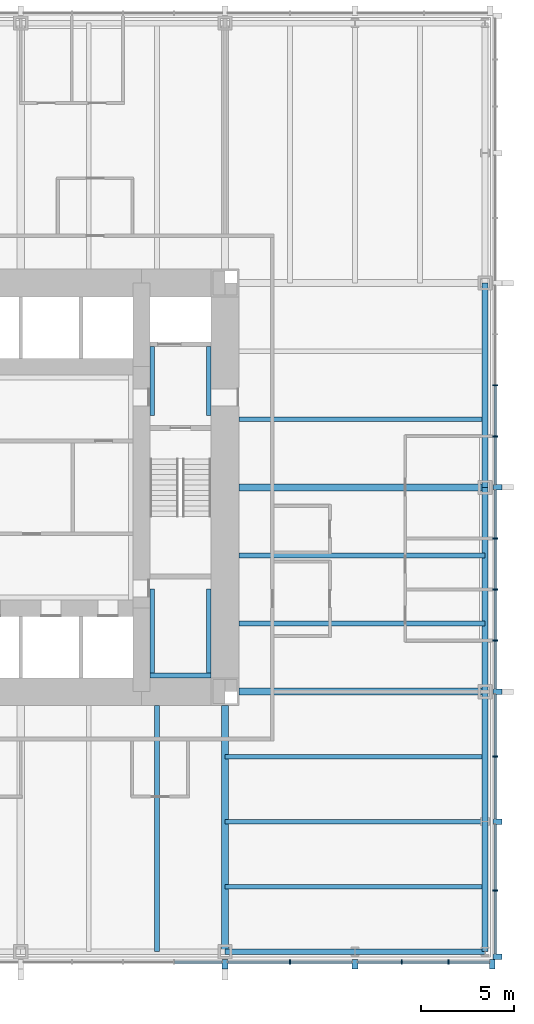
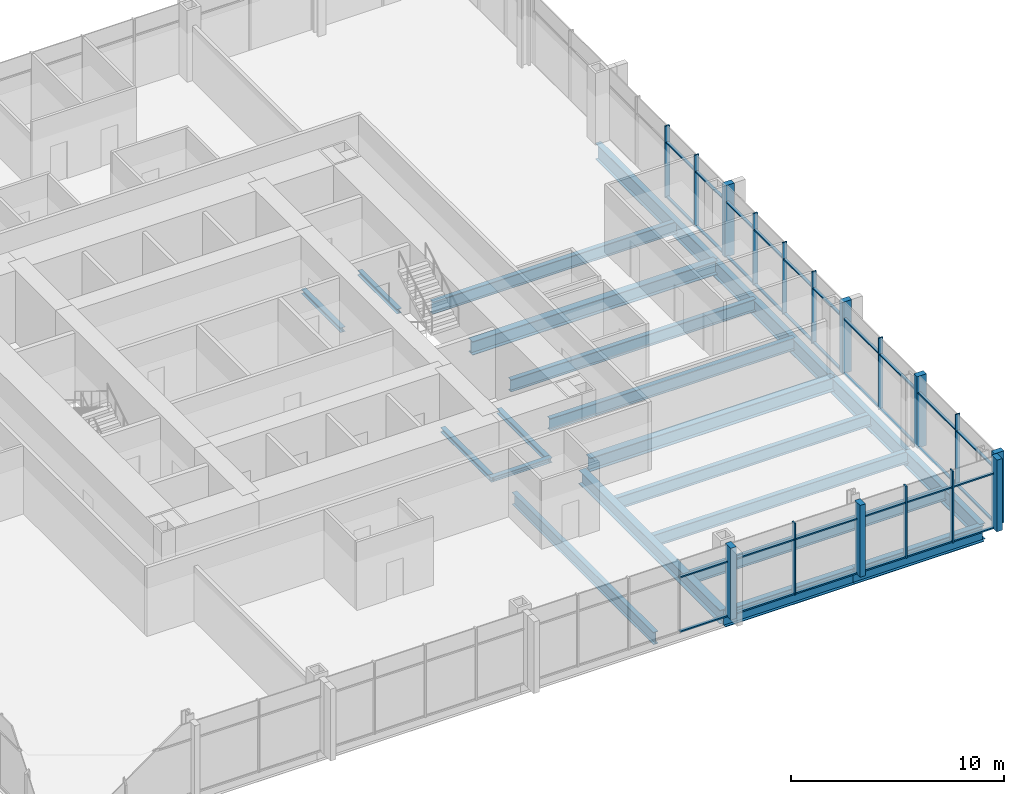
# One storey, part 4 of 12: 49 members, 21 beams, 2 elements without a shape of their own.
"""IFC4 building model written with IfcOpenShell, lengths in metres."""

from ifc_helpers import new_model, si_unit, direction, frame, origin, origin_2d, place, context, subcontext, project, spatial, rectangle, i_section, extrude, material, material_profile, profile_set, type_object, element, aggregate, save


model = new_model("IFC4")

# Units and contexts
model_context = context("Model", 3, precision=1e-05, world=origin(), true_north=direction((0.0, 1.0)))
body_context = subcontext(model_context, "Body", "Model", "MODEL_VIEW")
ifc_project = project(units=[si_unit("LENGTHUNIT", "METRE"), si_unit("AREAUNIT", "SQUARE_METRE"), si_unit("VOLUMEUNIT", "CUBIC_METRE"), si_unit("PLANEANGLEUNIT", "RADIAN"), si_unit("MASSUNIT", "GRAM", prefix="KILO")], contexts=[model_context])

# Site, building, storey
site_placement = place(None, origin())
site = spatial("IfcSite", under=ifc_project, at=site_placement, CompositionType="ELEMENT")
building_placement = place(site_placement, origin())
building = spatial("IfcBuilding", under=site, at=building_placement, Name="Trevanion Tower", CompositionType="ELEMENT")
storey_placement = place(building_placement, frame((0.0, 0.0, 28.300048828125)))
storey = spatial("IfcBuildingStorey", under=building, at=storey_placement, Name="L06", CompositionType="ELEMENT", Elevation=28.300048828125)

# Beams
ifc_material_1 = material(Name="Steel ASTM A992 Grade 50", Category="steel")
ifc_material_profile_1 = material_profile(ifc_material_1, i_section(OverallWidth=0.25390625, OverallDepth=0.700927734375, WebThickness=0.015380859375, FlangeThickness=0.02783203125, at=origin_2d()), Name="W27X129")
ifc_profile_set_1 = profile_set([ifc_material_profile_1], Name="Steel ASTM A992 Grade 50")
beam_type_1 = type_object("IfcBeamType", Name="B3 W27X129", PredefinedType="BEAM", material=ifc_profile_set_1)
for number, where, z_axis, x_axis, name in (
    (1, (11.75, -7.333251953125, -0.54052734375), (1.0, 0.0, 0.0), (0.0, 1.0, 0.0), "B3 L06"),
    (2, (11.75, -3.666748046875, -0.54052734375), (1.0, 0.0, 0.0), (0.0, 1.0, 0.0), "B3 L06"),
    (3, (11.75, 3.666748046875, -0.54052734375), (1.0, 0.0, 0.0), (0.0, 1.0, 0.0), "B3 L06"),
    (4, (7.333251953125, -11.75, -0.54052734375), (0.0, -1.0, 0.0), (1.0, 0.0, 0.0), "B3 L06"),
):
    element("IfcBeam", number, at=place(storey_placement, frame(where, z_axis=z_axis, x_axis=x_axis)), inside=storey, type_object=beam_type_1, Name=name, PredefinedType="BEAM", context=body_context, shape_type="SweptSolid", body=[
        extrude(i_section(OverallWidth=0.25390625, OverallDepth=0.700927734375, WebThickness=0.015380859375, FlangeThickness=0.02783203125, at=origin_2d()), origin(), (0.0, 0.0, 1.0), 13.25),
    ])
ifc_material_2 = material(Name="Steel ASTM A992 Grade 50", Category="steel")
ifc_material_profile_2 = material_profile(ifc_material_2, i_section(OverallWidth=0.256591796875, OverallDepth=0.693359375, WebThickness=0.014404296875, FlangeThickness=0.023681640625, at=origin_2d()), Name="W27X114")
ifc_profile_set_2 = profile_set([ifc_material_profile_2], Name="Steel ASTM A992 Grade 50")
beam_type_2 = type_object("IfcBeamType", Name="B4 W27X114", PredefinedType="BEAM", material=ifc_profile_set_2)
for number, where, z_axis, x_axis, name in (
    (5, (11.0, -14.5, -0.536865234375), (1.0, 0.0, 0.0), (0.0, 1.0, 0.0), "B4 L06"),
    (6, (11.0, -18.0, -0.536865234375), (1.0, 0.0, 0.0), (0.0, 1.0, 0.0), "B4 L06"),
    (7, (11.0, -21.5, -0.536865234375), (1.0, 0.0, 0.0), (0.0, 1.0, 0.0), "B4 L06"),
):
    element("IfcBeam", number, at=place(storey_placement, frame(where, z_axis=z_axis, x_axis=x_axis)), inside=storey, type_object=beam_type_2, Name=name, PredefinedType="BEAM", context=body_context, shape_type="SweptSolid", body=[
        extrude(i_section(OverallWidth=0.256591796875, OverallDepth=0.693359375, WebThickness=0.014404296875, FlangeThickness=0.023681640625, at=origin_2d()), origin(), (0.0, 0.0, 1.0), 14.0),
    ])

# Curtain wall, members
ifc_material_3 = material(Name="Aluminium and glass", Category="aluminium")
curtain_wall_type = type_object("IfcCurtainWallType", Name="CW1 curtain wall", PredefinedType="USERDEFINED", material=ifc_material_3)
curtain_wall_1_placement = place(storey_placement, origin())
curtain_wall_1 = element("IfcCurtainWall", 8, at=curtain_wall_1_placement, inside=storey, type_object=curtain_wall_type, Name="CW1 L06 0", ObjectType="UNITISED CURTAIN WALL", PredefinedType="USERDEFINED")
ifc_material_4 = material(Name="Aluminium extrusion, anodised bronze", Category="aluminium")
ifc_material_profile_3 = material_profile(ifc_material_4, rectangle(XDim=0.074951171875, YDim=0.25, at=origin_2d()), Name="CW1 mullion")
ifc_profile_set_3 = profile_set([ifc_material_profile_3], Name="Aluminium extrusion, anodised bronze")
member_type_1 = type_object("IfcMemberType", Name="CW1 mullion", PredefinedType="MULLION", material=ifc_profile_set_3)
member_1_placement = place(storey_placement, frame((25.550048828125, -21.7099609375, -0.18994140625), z_axis=(0.0, 0.0, 1.0), x_axis=(0.0, 1.0, 0.0)))
member_1 = element("IfcMember", 9, at=member_1_placement, type_object=member_type_1, Name="CW1 mullion 2", PredefinedType="MULLION", context=body_context, shape_type="SweptSolid", body=[
    extrude(rectangle(XDim=0.074951171875, YDim=0.25, at=origin_2d()), origin(), (0.0, 0.0, 1.0), 4.099853515625),
])
member_2_placement = place(storey_placement, frame((25.550048828125, -14.5, -0.18994140625), z_axis=(0.0, 0.0, 1.0), x_axis=(0.0, 1.0, 0.0)))
member_2 = element("IfcMember", 10, at=member_2_placement, type_object=member_type_1, Name="CW1 mullion 4", PredefinedType="MULLION", context=body_context, shape_type="SweptSolid", body=[
    extrude(rectangle(XDim=0.074951171875, YDim=0.25, at=origin_2d()), origin(), (0.0, 0.0, 1.0), 4.099853515625),
])
member_3_placement = place(storey_placement, frame((25.550048828125, -8.25, -0.18994140625), z_axis=(0.0, 0.0, 1.0), x_axis=(0.0, 1.0, 0.0)))
member_3 = element("IfcMember", 11, at=member_3_placement, type_object=member_type_1, Name="CW1 mullion 6", PredefinedType="MULLION", context=body_context, shape_type="SweptSolid", body=[
    extrude(rectangle(XDim=0.074951171875, YDim=0.25, at=origin_2d()), origin(), (0.0, 0.0, 1.0), 4.099853515625),
])
member_4_placement = place(storey_placement, frame((25.550048828125, -5.5, -0.18994140625), z_axis=(0.0, 0.0, 1.0), x_axis=(0.0, 1.0, 0.0)))
member_4 = element("IfcMember", 12, at=member_4_placement, type_object=member_type_1, Name="CW1 mullion 7", PredefinedType="MULLION", context=body_context, shape_type="SweptSolid", body=[
    extrude(rectangle(XDim=0.074951171875, YDim=0.25, at=origin_2d()), origin(), (0.0, 0.0, 1.0), 4.099853515625),
])
member_5_placement = place(storey_placement, frame((25.550048828125, -2.75, -0.18994140625), z_axis=(0.0, 0.0, 1.0), x_axis=(0.0, 1.0, 0.0)))
member_5 = element("IfcMember", 13, at=member_5_placement, type_object=member_type_1, Name="CW1 mullion 8", PredefinedType="MULLION", context=body_context, shape_type="SweptSolid", body=[
    extrude(rectangle(XDim=0.074951171875, YDim=0.25, at=origin_2d()), origin(), (0.0, 0.0, 1.0), 4.099853515625),
])
member_6_placement = place(storey_placement, frame((25.550048828125, 2.75, -0.18994140625), z_axis=(0.0, 0.0, 1.0), x_axis=(0.0, 1.0, 0.0)))
member_6 = element("IfcMember", 14, at=member_6_placement, type_object=member_type_1, Name="CW1 mullion 10", PredefinedType="MULLION", context=body_context, shape_type="SweptSolid", body=[
    extrude(rectangle(XDim=0.074951171875, YDim=0.25, at=origin_2d()), origin(), (0.0, 0.0, 1.0), 4.099853515625),
])
member_7_placement = place(storey_placement, frame((25.550048828125, 5.5, -0.18994140625), z_axis=(0.0, 0.0, 1.0), x_axis=(0.0, 1.0, 0.0)))
member_7 = element("IfcMember", 15, at=member_7_placement, type_object=member_type_1, Name="CW1 mullion 11", PredefinedType="MULLION", context=body_context, shape_type="SweptSolid", body=[
    extrude(rectangle(XDim=0.074951171875, YDim=0.25, at=origin_2d()), origin(), (0.0, 0.0, 1.0), 4.099853515625),
])

curtain_wall_2_placement = place(storey_placement, origin())
curtain_wall_2 = element("IfcCurtainWall", 16, at=curtain_wall_2_placement, inside=storey, type_object=curtain_wall_type, Name="CW1 L06 3", ObjectType="UNITISED CURTAIN WALL", PredefinedType="USERDEFINED")
member_8_placement = place(storey_placement, frame((14.5, -25.550048828125, -0.18994140625), z_axis=(0.0, 0.0, 1.0), x_axis=(1.0, 0.0, 0.0)))
member_8 = element("IfcMember", 17, at=member_8_placement, type_object=member_type_1, Name="CW1 mullion 14", PredefinedType="MULLION", context=body_context, shape_type="SweptSolid", body=[
    extrude(rectangle(XDim=0.074951171875, YDim=0.25, at=origin_2d()), origin(), (0.0, 0.0, 1.0), 4.099853515625),
])
member_9_placement = place(storey_placement, frame((20.5166015625, -25.550048828125, -0.18994140625), z_axis=(0.0, 0.0, 1.0), x_axis=(1.0, 0.0, 0.0)))
member_9 = element("IfcMember", 18, at=member_9_placement, type_object=member_type_1, Name="CW1 mullion 16", PredefinedType="MULLION", context=body_context, shape_type="SweptSolid", body=[
    extrude(rectangle(XDim=0.074951171875, YDim=0.25, at=origin_2d()), origin(), (0.0, 0.0, 1.0), 4.099853515625),
])
member_10_placement = place(storey_placement, frame((23.033203125, -25.550048828125, -0.18994140625), z_axis=(0.0, 0.0, 1.0), x_axis=(1.0, 0.0, 0.0)))
member_10 = element("IfcMember", 19, at=member_10_placement, type_object=member_type_1, Name="CW1 mullion 17", PredefinedType="MULLION", context=body_context, shape_type="SweptSolid", body=[
    extrude(rectangle(XDim=0.074951171875, YDim=0.25, at=origin_2d()), origin(), (0.0, 0.0, 1.0), 4.099853515625),
])

# Member
ifc_material_5 = material(Name="Aluminium extrusion, anodised bronze", Category="aluminium")
ifc_material_profile_4 = material_profile(ifc_material_5, rectangle(XDim=0.300048828125, YDim=0.5, at=origin_2d()), Name="CW1 pier mullion")
ifc_profile_set_4 = profile_set([ifc_material_profile_4], Name="Aluminium extrusion, anodised bronze")
member_type_2 = type_object("IfcMemberType", Name="CW1 pier mullion", PredefinedType="MULLION", material=ifc_profile_set_4)
member_11_placement = place(storey_placement, frame((25.675048828125, -25.27001953125, -0.18994140625), z_axis=(0.0, 0.0, 1.0), x_axis=(0.0, 1.0, 0.0)))
member_11 = element("IfcMember", 20, at=member_11_placement, type_object=member_type_2, Name="CW1 pier mullion 1", PredefinedType="MULLION", context=body_context, shape_type="SweptSolid", body=[
    extrude(rectangle(XDim=0.300048828125, YDim=0.5, at=origin_2d()), origin(), (0.0, 0.0, 1.0), 4.099853515625),
])

member_12_placement = place(storey_placement, frame((25.675048828125, -18.0, -0.18994140625), z_axis=(0.0, 0.0, 1.0), x_axis=(0.0, 1.0, 0.0)))
member_12 = element("IfcMember", 21, at=member_12_placement, type_object=member_type_2, Name="CW1 pier mullion 3", PredefinedType="MULLION", context=body_context, shape_type="SweptSolid", body=[
    extrude(rectangle(XDim=0.300048828125, YDim=0.5, at=origin_2d()), origin(), (0.0, 0.0, 1.0), 4.099853515625),
])

member_13_placement = place(storey_placement, frame((25.675048828125, -11.0, -0.18994140625), z_axis=(0.0, 0.0, 1.0), x_axis=(0.0, 1.0, 0.0)))
member_13 = element("IfcMember", 22, at=member_13_placement, type_object=member_type_2, Name="CW1 pier mullion 5", PredefinedType="MULLION", context=body_context, shape_type="SweptSolid", body=[
    extrude(rectangle(XDim=0.300048828125, YDim=0.5, at=origin_2d()), origin(), (0.0, 0.0, 1.0), 4.099853515625),
])

member_14_placement = place(storey_placement, frame((25.675048828125, 0.0, -0.18994140625), z_axis=(0.0, 0.0, 1.0), x_axis=(0.0, 1.0, 0.0)))
member_14 = element("IfcMember", 23, at=member_14_placement, type_object=member_type_2, Name="CW1 pier mullion 9", PredefinedType="MULLION", context=body_context, shape_type="SweptSolid", body=[
    extrude(rectangle(XDim=0.300048828125, YDim=0.5, at=origin_2d()), origin(), (0.0, 0.0, 1.0), 4.099853515625),
])

member_15_placement = place(storey_placement, frame((11.0, -25.675048828125, -0.18994140625), z_axis=(0.0, 0.0, 1.0), x_axis=(1.0, 0.0, 0.0)))
member_15 = element("IfcMember", 24, at=member_15_placement, type_object=member_type_2, Name="CW1 pier mullion 13", PredefinedType="MULLION", context=body_context, shape_type="SweptSolid", body=[
    extrude(rectangle(XDim=0.300048828125, YDim=0.5, at=origin_2d()), origin(), (0.0, 0.0, 1.0), 4.099853515625),
])

member_16_placement = place(storey_placement, frame((18.0, -25.675048828125, -0.18994140625), z_axis=(0.0, 0.0, 1.0), x_axis=(1.0, 0.0, 0.0)))
member_16 = element("IfcMember", 25, at=member_16_placement, type_object=member_type_2, Name="CW1 pier mullion 15", PredefinedType="MULLION", context=body_context, shape_type="SweptSolid", body=[
    extrude(rectangle(XDim=0.300048828125, YDim=0.5, at=origin_2d()), origin(), (0.0, 0.0, 1.0), 4.099853515625),
])

member_17_placement = place(storey_placement, frame((25.39990234375, -25.675048828125, -0.18994140625), z_axis=(0.0, 0.0, 1.0), x_axis=(1.0, 0.0, 0.0)))
member_17 = element("IfcMember", 26, at=member_17_placement, type_object=member_type_2, Name="CW1 pier mullion 18", PredefinedType="MULLION", context=body_context, shape_type="SweptSolid", body=[
    extrude(rectangle(XDim=0.300048828125, YDim=0.5, at=origin_2d()), origin(), (0.0, 0.0, 1.0), 4.099853515625),
])

ifc_material_6 = material(Name="Aluminium extrusion, anodised bronze", Category="aluminium")
ifc_material_profile_5 = material_profile(ifc_material_6, rectangle(XDim=0.14990234375, YDim=0.074951171875, at=origin_2d()), Name="CW1 transom")
ifc_profile_set_5 = profile_set([ifc_material_profile_5], Name="Aluminium extrusion, anodised bronze")
member_type_3 = type_object("IfcMemberType", Name="CW1 transom", PredefinedType="USERDEFINED", material=ifc_profile_set_5)
member_18_placement = place(storey_placement, frame((25.550048828125, -25.1201171875, -0.152587890625), z_axis=(0.0, 1.0, 0.0), x_axis=(-1.0, 0.0, 0.0)))
member_18 = element("IfcMember", 27, at=member_18_placement, type_object=member_type_3, Name="CW1 transom 1.1", ObjectType="TRANSOM", PredefinedType="USERDEFINED", context=body_context, shape_type="SweptSolid", body=[
    extrude(rectangle(XDim=0.14990234375, YDim=0.074951171875, at=origin_2d()), origin(), (0.0, 0.0, 1.0), 3.37255859375),
])

member_19_placement = place(storey_placement, frame((25.550048828125, -25.1201171875, 2.9599609375), z_axis=(0.0, 1.0, 0.0), x_axis=(-1.0, 0.0, 0.0)))
member_19 = element("IfcMember", 28, at=member_19_placement, type_object=member_type_3, Name="CW1 transom 1.2", ObjectType="TRANSOM", PredefinedType="USERDEFINED", context=body_context, shape_type="SweptSolid", body=[
    extrude(rectangle(XDim=0.14990234375, YDim=0.074951171875, at=origin_2d()), origin(), (0.0, 0.0, 1.0), 3.37255859375),
])

member_20_placement = place(storey_placement, frame((25.550048828125, -21.672607421875, -0.152587890625), z_axis=(0.0, 1.0, 0.0), x_axis=(-1.0, 0.0, 0.0)))
member_20 = element("IfcMember", 29, at=member_20_placement, type_object=member_type_3, Name="CW1 transom 2.1", ObjectType="TRANSOM", PredefinedType="USERDEFINED", context=body_context, shape_type="SweptSolid", body=[
    extrude(rectangle(XDim=0.14990234375, YDim=0.074951171875, at=origin_2d()), origin(), (0.0, 0.0, 1.0), 3.522705078125),
])

member_21_placement = place(storey_placement, frame((25.550048828125, -21.672607421875, 2.9599609375), z_axis=(0.0, 1.0, 0.0), x_axis=(-1.0, 0.0, 0.0)))
member_21 = element("IfcMember", 30, at=member_21_placement, type_object=member_type_3, Name="CW1 transom 2.2", ObjectType="TRANSOM", PredefinedType="USERDEFINED", context=body_context, shape_type="SweptSolid", body=[
    extrude(rectangle(XDim=0.14990234375, YDim=0.074951171875, at=origin_2d()), origin(), (0.0, 0.0, 1.0), 3.522705078125),
])

member_22_placement = place(storey_placement, frame((25.550048828125, -17.85009765625, -0.152587890625), z_axis=(0.0, 1.0, 0.0), x_axis=(-1.0, 0.0, 0.0)))
member_22 = element("IfcMember", 31, at=member_22_placement, type_object=member_type_3, Name="CW1 transom 3.1", ObjectType="TRANSOM", PredefinedType="USERDEFINED", context=body_context, shape_type="SweptSolid", body=[
    extrude(rectangle(XDim=0.14990234375, YDim=0.074951171875, at=origin_2d()), origin(), (0.0, 0.0, 1.0), 3.3125),
])

member_23_placement = place(storey_placement, frame((25.550048828125, -17.85009765625, 2.9599609375), z_axis=(0.0, 1.0, 0.0), x_axis=(-1.0, 0.0, 0.0)))
member_23 = element("IfcMember", 32, at=member_23_placement, type_object=member_type_3, Name="CW1 transom 3.2", ObjectType="TRANSOM", PredefinedType="USERDEFINED", context=body_context, shape_type="SweptSolid", body=[
    extrude(rectangle(XDim=0.14990234375, YDim=0.074951171875, at=origin_2d()), origin(), (0.0, 0.0, 1.0), 3.3125),
])

member_24_placement = place(storey_placement, frame((25.550048828125, -14.46240234375, -0.152587890625), z_axis=(0.0, 1.0, 0.0), x_axis=(-1.0, 0.0, 0.0)))
member_24 = element("IfcMember", 33, at=member_24_placement, type_object=member_type_3, Name="CW1 transom 4.1", ObjectType="TRANSOM", PredefinedType="USERDEFINED", context=body_context, shape_type="SweptSolid", body=[
    extrude(rectangle(XDim=0.14990234375, YDim=0.074951171875, at=origin_2d()), origin(), (0.0, 0.0, 1.0), 3.3125),
])

member_25_placement = place(storey_placement, frame((25.550048828125, -14.46240234375, 2.9599609375), z_axis=(0.0, 1.0, 0.0), x_axis=(-1.0, 0.0, 0.0)))
member_25 = element("IfcMember", 34, at=member_25_placement, type_object=member_type_3, Name="CW1 transom 4.2", ObjectType="TRANSOM", PredefinedType="USERDEFINED", context=body_context, shape_type="SweptSolid", body=[
    extrude(rectangle(XDim=0.14990234375, YDim=0.074951171875, at=origin_2d()), origin(), (0.0, 0.0, 1.0), 3.3125),
])

member_26_placement = place(storey_placement, frame((25.550048828125, -10.85009765625, -0.152587890625), z_axis=(0.0, 1.0, 0.0), x_axis=(-1.0, 0.0, 0.0)))
member_26 = element("IfcMember", 35, at=member_26_placement, type_object=member_type_3, Name="CW1 transom 5.1", ObjectType="TRANSOM", PredefinedType="USERDEFINED", context=body_context, shape_type="SweptSolid", body=[
    extrude(rectangle(XDim=0.14990234375, YDim=0.074951171875, at=origin_2d()), origin(), (0.0, 0.0, 1.0), 2.5625),
])

member_27_placement = place(storey_placement, frame((25.550048828125, -10.85009765625, 2.9599609375), z_axis=(0.0, 1.0, 0.0), x_axis=(-1.0, 0.0, 0.0)))
member_27 = element("IfcMember", 36, at=member_27_placement, type_object=member_type_3, Name="CW1 transom 5.2", ObjectType="TRANSOM", PredefinedType="USERDEFINED", context=body_context, shape_type="SweptSolid", body=[
    extrude(rectangle(XDim=0.14990234375, YDim=0.074951171875, at=origin_2d()), origin(), (0.0, 0.0, 1.0), 2.5625),
])

member_28_placement = place(storey_placement, frame((25.550048828125, -8.21240234375, -0.152587890625), z_axis=(0.0, 1.0, 0.0), x_axis=(-1.0, 0.0, 0.0)))
member_28 = element("IfcMember", 37, at=member_28_placement, type_object=member_type_3, Name="CW1 transom 6.1", ObjectType="TRANSOM", PredefinedType="USERDEFINED", context=body_context, shape_type="SweptSolid", body=[
    extrude(rectangle(XDim=0.14990234375, YDim=0.074951171875, at=origin_2d()), origin(), (0.0, 0.0, 1.0), 2.6748046875),
])

member_29_placement = place(storey_placement, frame((25.550048828125, -8.21240234375, 2.9599609375), z_axis=(0.0, 1.0, 0.0), x_axis=(-1.0, 0.0, 0.0)))
member_29 = element("IfcMember", 38, at=member_29_placement, type_object=member_type_3, Name="CW1 transom 6.2", ObjectType="TRANSOM", PredefinedType="USERDEFINED", context=body_context, shape_type="SweptSolid", body=[
    extrude(rectangle(XDim=0.14990234375, YDim=0.074951171875, at=origin_2d()), origin(), (0.0, 0.0, 1.0), 2.6748046875),
])

member_30_placement = place(storey_placement, frame((25.550048828125, -5.46240234375, -0.152587890625), z_axis=(0.0, 1.0, 0.0), x_axis=(-1.0, 0.0, 0.0)))
member_30 = element("IfcMember", 39, at=member_30_placement, type_object=member_type_3, Name="CW1 transom 7.1", ObjectType="TRANSOM", PredefinedType="USERDEFINED", context=body_context, shape_type="SweptSolid", body=[
    extrude(rectangle(XDim=0.14990234375, YDim=0.074951171875, at=origin_2d()), origin(), (0.0, 0.0, 1.0), 2.6748046875),
])

member_31_placement = place(storey_placement, frame((25.550048828125, -5.46240234375, 2.9599609375), z_axis=(0.0, 1.0, 0.0), x_axis=(-1.0, 0.0, 0.0)))
member_31 = element("IfcMember", 40, at=member_31_placement, type_object=member_type_3, Name="CW1 transom 7.2", ObjectType="TRANSOM", PredefinedType="USERDEFINED", context=body_context, shape_type="SweptSolid", body=[
    extrude(rectangle(XDim=0.14990234375, YDim=0.074951171875, at=origin_2d()), origin(), (0.0, 0.0, 1.0), 2.6748046875),
])

member_32_placement = place(storey_placement, frame((25.550048828125, -2.71240234375, -0.152587890625), z_axis=(0.0, 1.0, 0.0), x_axis=(-1.0, 0.0, 0.0)))
member_32 = element("IfcMember", 41, at=member_32_placement, type_object=member_type_3, Name="CW1 transom 8.1", ObjectType="TRANSOM", PredefinedType="USERDEFINED", context=body_context, shape_type="SweptSolid", body=[
    extrude(rectangle(XDim=0.14990234375, YDim=0.074951171875, at=origin_2d()), origin(), (0.0, 0.0, 1.0), 2.5625),
])

member_33_placement = place(storey_placement, frame((25.550048828125, -2.71240234375, 2.9599609375), z_axis=(0.0, 1.0, 0.0), x_axis=(-1.0, 0.0, 0.0)))
member_33 = element("IfcMember", 42, at=member_33_placement, type_object=member_type_3, Name="CW1 transom 8.2", ObjectType="TRANSOM", PredefinedType="USERDEFINED", context=body_context, shape_type="SweptSolid", body=[
    extrude(rectangle(XDim=0.14990234375, YDim=0.074951171875, at=origin_2d()), origin(), (0.0, 0.0, 1.0), 2.5625),
])

member_34_placement = place(storey_placement, frame((25.550048828125, 0.14990234375, -0.152587890625), z_axis=(0.0, 1.0, 0.0), x_axis=(-1.0, 0.0, 0.0)))
member_34 = element("IfcMember", 43, at=member_34_placement, type_object=member_type_3, Name="CW1 transom 9.1", ObjectType="TRANSOM", PredefinedType="USERDEFINED", context=body_context, shape_type="SweptSolid", body=[
    extrude(rectangle(XDim=0.14990234375, YDim=0.074951171875, at=origin_2d()), origin(), (0.0, 0.0, 1.0), 2.5625),
])

member_35_placement = place(storey_placement, frame((25.550048828125, 0.14990234375, 2.9599609375), z_axis=(0.0, 1.0, 0.0), x_axis=(-1.0, 0.0, 0.0)))
member_35 = element("IfcMember", 44, at=member_35_placement, type_object=member_type_3, Name="CW1 transom 9.2", ObjectType="TRANSOM", PredefinedType="USERDEFINED", context=body_context, shape_type="SweptSolid", body=[
    extrude(rectangle(XDim=0.14990234375, YDim=0.074951171875, at=origin_2d()), origin(), (0.0, 0.0, 1.0), 2.5625),
])

member_36_placement = place(storey_placement, frame((25.550048828125, 2.78759765625, -0.152587890625), z_axis=(0.0, 1.0, 0.0), x_axis=(-1.0, 0.0, 0.0)))
member_36 = element("IfcMember", 45, at=member_36_placement, type_object=member_type_3, Name="CW1 transom 10.1", ObjectType="TRANSOM", PredefinedType="USERDEFINED", context=body_context, shape_type="SweptSolid", body=[
    extrude(rectangle(XDim=0.14990234375, YDim=0.074951171875, at=origin_2d()), origin(), (0.0, 0.0, 1.0), 2.6748046875),
])

member_37_placement = place(storey_placement, frame((25.550048828125, 2.78759765625, 2.9599609375), z_axis=(0.0, 1.0, 0.0), x_axis=(-1.0, 0.0, 0.0)))
member_37 = element("IfcMember", 46, at=member_37_placement, type_object=member_type_3, Name="CW1 transom 10.2", ObjectType="TRANSOM", PredefinedType="USERDEFINED", context=body_context, shape_type="SweptSolid", body=[
    extrude(rectangle(XDim=0.14990234375, YDim=0.074951171875, at=origin_2d()), origin(), (0.0, 0.0, 1.0), 2.6748046875),
])

aggregate(curtain_wall_1, [member_11, member_1, member_12, member_2, member_13, member_3, member_4, member_5, member_14, member_6, member_7, member_18, member_19, member_20, member_21, member_22, member_23, member_24, member_25, member_26, member_27, member_28, member_29, member_30, member_31, member_32, member_33, member_34, member_35, member_36, member_37])

member_38_placement = place(storey_placement, frame((8.28759765625, -25.550048828125, -0.152587890625), z_axis=(1.0, 0.0, 0.0), x_axis=(0.0, 1.0, 0.0)))
member_38 = element("IfcMember", 47, at=member_38_placement, type_object=member_type_3, Name="CW1 transom 12.1", ObjectType="TRANSOM", PredefinedType="USERDEFINED", context=body_context, shape_type="SweptSolid", body=[
    extrude(rectangle(XDim=0.14990234375, YDim=0.074951171875, at=origin_2d()), origin(), (0.0, 0.0, 1.0), 2.5625),
])

member_39_placement = place(storey_placement, frame((8.28759765625, -25.550048828125, 2.9599609375), z_axis=(1.0, 0.0, 0.0), x_axis=(0.0, 1.0, 0.0)))
member_39 = element("IfcMember", 48, at=member_39_placement, type_object=member_type_3, Name="CW1 transom 12.2", ObjectType="TRANSOM", PredefinedType="USERDEFINED", context=body_context, shape_type="SweptSolid", body=[
    extrude(rectangle(XDim=0.14990234375, YDim=0.074951171875, at=origin_2d()), origin(), (0.0, 0.0, 1.0), 2.5625),
])

member_40_placement = place(storey_placement, frame((11.14990234375, -25.550048828125, -0.152587890625), z_axis=(1.0, 0.0, 0.0), x_axis=(0.0, 1.0, 0.0)))
member_40 = element("IfcMember", 49, at=member_40_placement, type_object=member_type_3, Name="CW1 transom 13.1", ObjectType="TRANSOM", PredefinedType="USERDEFINED", context=body_context, shape_type="SweptSolid", body=[
    extrude(rectangle(XDim=0.14990234375, YDim=0.074951171875, at=origin_2d()), origin(), (0.0, 0.0, 1.0), 3.3125),
])

member_41_placement = place(storey_placement, frame((11.14990234375, -25.550048828125, 2.9599609375), z_axis=(1.0, 0.0, 0.0), x_axis=(0.0, 1.0, 0.0)))
member_41 = element("IfcMember", 50, at=member_41_placement, type_object=member_type_3, Name="CW1 transom 13.2", ObjectType="TRANSOM", PredefinedType="USERDEFINED", context=body_context, shape_type="SweptSolid", body=[
    extrude(rectangle(XDim=0.14990234375, YDim=0.074951171875, at=origin_2d()), origin(), (0.0, 0.0, 1.0), 3.3125),
])

member_42_placement = place(storey_placement, frame((14.53759765625, -25.550048828125, -0.152587890625), z_axis=(1.0, 0.0, 0.0), x_axis=(0.0, 1.0, 0.0)))
member_42 = element("IfcMember", 51, at=member_42_placement, type_object=member_type_3, Name="CW1 transom 14.1", ObjectType="TRANSOM", PredefinedType="USERDEFINED", context=body_context, shape_type="SweptSolid", body=[
    extrude(rectangle(XDim=0.14990234375, YDim=0.074951171875, at=origin_2d()), origin(), (0.0, 0.0, 1.0), 3.3125),
])

member_43_placement = place(storey_placement, frame((14.53759765625, -25.550048828125, 2.9599609375), z_axis=(1.0, 0.0, 0.0), x_axis=(0.0, 1.0, 0.0)))
member_43 = element("IfcMember", 52, at=member_43_placement, type_object=member_type_3, Name="CW1 transom 14.2", ObjectType="TRANSOM", PredefinedType="USERDEFINED", context=body_context, shape_type="SweptSolid", body=[
    extrude(rectangle(XDim=0.14990234375, YDim=0.074951171875, at=origin_2d()), origin(), (0.0, 0.0, 1.0), 3.3125),
])

member_44_placement = place(storey_placement, frame((18.14990234375, -25.550048828125, -0.152587890625), z_axis=(1.0, 0.0, 0.0), x_axis=(0.0, 1.0, 0.0)))
member_44 = element("IfcMember", 53, at=member_44_placement, type_object=member_type_3, Name="CW1 transom 15.1", ObjectType="TRANSOM", PredefinedType="USERDEFINED", context=body_context, shape_type="SweptSolid", body=[
    extrude(rectangle(XDim=0.14990234375, YDim=0.074951171875, at=origin_2d()), origin(), (0.0, 0.0, 1.0), 2.329345703125),
])

member_45_placement = place(storey_placement, frame((18.14990234375, -25.550048828125, 2.9599609375), z_axis=(1.0, 0.0, 0.0), x_axis=(0.0, 1.0, 0.0)))
member_45 = element("IfcMember", 54, at=member_45_placement, type_object=member_type_3, Name="CW1 transom 15.2", ObjectType="TRANSOM", PredefinedType="USERDEFINED", context=body_context, shape_type="SweptSolid", body=[
    extrude(rectangle(XDim=0.14990234375, YDim=0.074951171875, at=origin_2d()), origin(), (0.0, 0.0, 1.0), 2.329345703125),
])

member_46_placement = place(storey_placement, frame((20.55419921875, -25.550048828125, -0.152587890625), z_axis=(1.0, 0.0, 0.0), x_axis=(0.0, 1.0, 0.0)))
member_46 = element("IfcMember", 55, at=member_46_placement, type_object=member_type_3, Name="CW1 transom 16.1", ObjectType="TRANSOM", PredefinedType="USERDEFINED", context=body_context, shape_type="SweptSolid", body=[
    extrude(rectangle(XDim=0.14990234375, YDim=0.074951171875, at=origin_2d()), origin(), (0.0, 0.0, 1.0), 2.441650390625),
])

member_47_placement = place(storey_placement, frame((20.55419921875, -25.550048828125, 2.9599609375), z_axis=(1.0, 0.0, 0.0), x_axis=(0.0, 1.0, 0.0)))
member_47 = element("IfcMember", 56, at=member_47_placement, type_object=member_type_3, Name="CW1 transom 16.2", ObjectType="TRANSOM", PredefinedType="USERDEFINED", context=body_context, shape_type="SweptSolid", body=[
    extrude(rectangle(XDim=0.14990234375, YDim=0.074951171875, at=origin_2d()), origin(), (0.0, 0.0, 1.0), 2.441650390625),
])

member_48_placement = place(storey_placement, frame((23.07080078125, -25.550048828125, -0.152587890625), z_axis=(1.0, 0.0, 0.0), x_axis=(0.0, 1.0, 0.0)))
member_48 = element("IfcMember", 57, at=member_48_placement, type_object=member_type_3, Name="CW1 transom 17.1", ObjectType="TRANSOM", PredefinedType="USERDEFINED", context=body_context, shape_type="SweptSolid", body=[
    extrude(rectangle(XDim=0.14990234375, YDim=0.074951171875, at=origin_2d()), origin(), (0.0, 0.0, 1.0), 2.17919921875),
])

member_49_placement = place(storey_placement, frame((23.07080078125, -25.550048828125, 2.9599609375), z_axis=(1.0, 0.0, 0.0), x_axis=(0.0, 1.0, 0.0)))
member_49 = element("IfcMember", 58, at=member_49_placement, type_object=member_type_3, Name="CW1 transom 17.2", ObjectType="TRANSOM", PredefinedType="USERDEFINED", context=body_context, shape_type="SweptSolid", body=[
    extrude(rectangle(XDim=0.14990234375, YDim=0.074951171875, at=origin_2d()), origin(), (0.0, 0.0, 1.0), 2.17919921875),
])

aggregate(curtain_wall_2, [member_15, member_8, member_16, member_9, member_10, member_17, member_38, member_39, member_40, member_41, member_42, member_43, member_44, member_45, member_46, member_47, member_48, member_49])

# Beams
ifc_material_7 = material(Name="Steel ASTM A992 Grade 50", Category="steel")
ifc_material_profile_6 = material_profile(ifc_material_7, i_section(OverallWidth=0.381103515625, OverallDepth=0.77978515625, WebThickness=0.01806640625, FlangeThickness=0.0302734375, at=origin_2d()), Name="W30X191")
ifc_profile_set_6 = profile_set([ifc_material_profile_6], Name="Steel ASTM A992 Grade 50")
beam_type_3 = type_object("IfcBeamType", Name="G2 W30X191", PredefinedType="BEAM", material=ifc_profile_set_6)
for number, where, z_axis, x_axis, name in (
    (59, (11.75, -11.0, -0.579833984375), (1.0, 0.0, 0.0), (0.0, 1.0, 0.0), "G2 L06"),
    (60, (11.75, 0.0, -0.579833984375), (1.0, 0.0, 0.0), (0.0, 1.0, 0.0), "G2 L06"),
    (61, (11.0, -11.75, -0.579833984375), (0.0, -1.0, 0.0), (1.0, 0.0, 0.0), "G2 L06"),
):
    element("IfcBeam", number, at=place(storey_placement, frame(where, z_axis=z_axis, x_axis=x_axis)), inside=storey, type_object=beam_type_3, Name=name, PredefinedType="BEAM", context=body_context, shape_type="SweptSolid", body=[
        extrude(i_section(OverallWidth=0.381103515625, OverallDepth=0.77978515625, WebThickness=0.01806640625, FlangeThickness=0.0302734375, at=origin_2d()), origin(), (0.0, 0.0, 1.0), 13.25),
    ])
ifc_material_8 = material(Name="Steel ASTM A992 Grade 50", Category="steel")
ifc_material_profile_7 = material_profile(ifc_material_8, i_section(OverallWidth=0.256591796875, OverallDepth=0.26416015625, WebThickness=0.011962890625, FlangeThickness=0.01953125, at=origin_2d()), Name="W10X68")
ifc_profile_set_7 = profile_set([ifc_material_profile_7], Name="Steel ASTM A992 Grade 50")
beam_type_4 = type_object("IfcBeamType", Name="LB1 W10X68", PredefinedType="BEAM", material=ifc_profile_set_7)
for number, where, z_axis, x_axis, name in (
    (62, (7.078369140625, 3.875, -0.33203125), (0.0, 1.0, 0.0), (-1.0, 0.0, 0.0), "LB1 L06"),
    (63, (10.12158203125, 3.875, -0.33203125), (0.0, 1.0, 0.0), (-1.0, 0.0, 0.0), "LB1 L06"),
):
    element("IfcBeam", number, at=place(storey_placement, frame(where, z_axis=z_axis, x_axis=x_axis)), inside=storey, type_object=beam_type_4, Name=name, PredefinedType="BEAM", context=body_context, shape_type="SweptSolid", body=[
        extrude(i_section(OverallWidth=0.256591796875, OverallDepth=0.26416015625, WebThickness=0.011962890625, FlangeThickness=0.01953125, at=origin_2d()), origin(), (0.0, 0.0, 1.0), 3.699951171875),
    ])
for number, where, z_axis, x_axis, name in (
    (64, (7.078369140625, -10.25, -0.33203125), (0.0, 1.0, 0.0), (-1.0, 0.0, 0.0), "LB1 L06"),
    (65, (10.12158203125, -10.25, -0.33203125), (0.0, 1.0, 0.0), (-1.0, 0.0, 0.0), "LB1 L06"),
):
    element("IfcBeam", number, at=place(storey_placement, frame(where, z_axis=z_axis, x_axis=x_axis)), inside=storey, type_object=beam_type_4, Name=name, PredefinedType="BEAM", context=body_context, shape_type="SweptSolid", body=[
        extrude(i_section(OverallWidth=0.256591796875, OverallDepth=0.26416015625, WebThickness=0.011962890625, FlangeThickness=0.01953125, at=origin_2d()), origin(), (0.0, 0.0, 1.0), 4.77490234375),
    ])
beam_placement = place(storey_placement, frame((6.949951171875, -10.12158203125, -0.33203125), z_axis=(1.0, 0.0, 0.0), x_axis=(0.0, 1.0, 0.0)))
element("IfcBeam", 66, at=beam_placement, inside=storey, type_object=beam_type_4, Name="LB1 L06", PredefinedType="BEAM", context=body_context, shape_type="SweptSolid", body=[
    extrude(i_section(OverallWidth=0.256591796875, OverallDepth=0.26416015625, WebThickness=0.011962890625, FlangeThickness=0.01953125, at=origin_2d()), origin(), (0.0, 0.0, 1.0), 3.300048828125),
])
ifc_material_9 = material(Name="Steel ASTM A992 Grade 50", Category="steel")
ifc_material_profile_8 = material_profile(ifc_material_9, i_section(OverallWidth=0.307373046875, OverallDepth=0.927001953125, WebThickness=0.01953125, FlangeThickness=0.031982421875, at=origin_2d()), Name="W36X194")
ifc_profile_set_8 = profile_set([ifc_material_profile_8], Name="Steel ASTM A992 Grade 50")
beam_type_5 = type_object("IfcBeamType", Name="SB2 W36X194", PredefinedType="SPANDREL", material=ifc_profile_set_8)
for number, where, z_axis, x_axis, name in (
    (67, (25.0, -25.0, -0.653564453125), (0.0, 1.0, 0.0), (-1.0, 0.0, 0.0), "SB2 L06"),
    (68, (25.0, -18.0, -0.653564453125), (0.0, 1.0, 0.0), (-1.0, 0.0, 0.0), "SB2 L06"),
):
    element("IfcBeam", number, at=place(storey_placement, frame(where, z_axis=z_axis, x_axis=x_axis)), inside=storey, type_object=beam_type_5, Name=name, PredefinedType="SPANDREL", context=body_context, shape_type="SweptSolid", body=[
        extrude(i_section(OverallWidth=0.307373046875, OverallDepth=0.927001953125, WebThickness=0.01953125, FlangeThickness=0.031982421875, at=origin_2d()), origin(), (0.0, 0.0, 1.0), 7.0),
    ])
for number, where, z_axis, x_axis, name in (
    (69, (25.0, -11.0, -0.653564453125), (0.0, 1.0, 0.0), (-1.0, 0.0, 0.0), "SB2 L06"),
    (70, (25.0, 0.0, -0.653564453125), (0.0, 1.0, 0.0), (-1.0, 0.0, 0.0), "SB2 L06"),
):
    element("IfcBeam", number, at=place(storey_placement, frame(where, z_axis=z_axis, x_axis=x_axis)), inside=storey, type_object=beam_type_5, Name=name, PredefinedType="SPANDREL", context=body_context, shape_type="SweptSolid", body=[
        extrude(i_section(OverallWidth=0.307373046875, OverallDepth=0.927001953125, WebThickness=0.01953125, FlangeThickness=0.031982421875, at=origin_2d()), origin(), (0.0, 0.0, 1.0), 11.0),
    ])
for number, where, z_axis, x_axis, name in (
    (71, (11.0, -25.0, -0.653564453125), (1.0, 0.0, 0.0), (0.0, 1.0, 0.0), "SB2 L06"),
    (72, (18.0, -25.0, -0.653564453125), (1.0, 0.0, 0.0), (0.0, 1.0, 0.0), "SB2 L06"),
):
    element("IfcBeam", number, at=place(storey_placement, frame(where, z_axis=z_axis, x_axis=x_axis)), inside=storey, type_object=beam_type_5, Name=name, PredefinedType="SPANDREL", context=body_context, shape_type="SweptSolid", body=[
        extrude(i_section(OverallWidth=0.307373046875, OverallDepth=0.927001953125, WebThickness=0.01953125, FlangeThickness=0.031982421875, at=origin_2d()), origin(), (0.0, 0.0, 1.0), 7.0),
    ])

save(model, "model.ifc")
